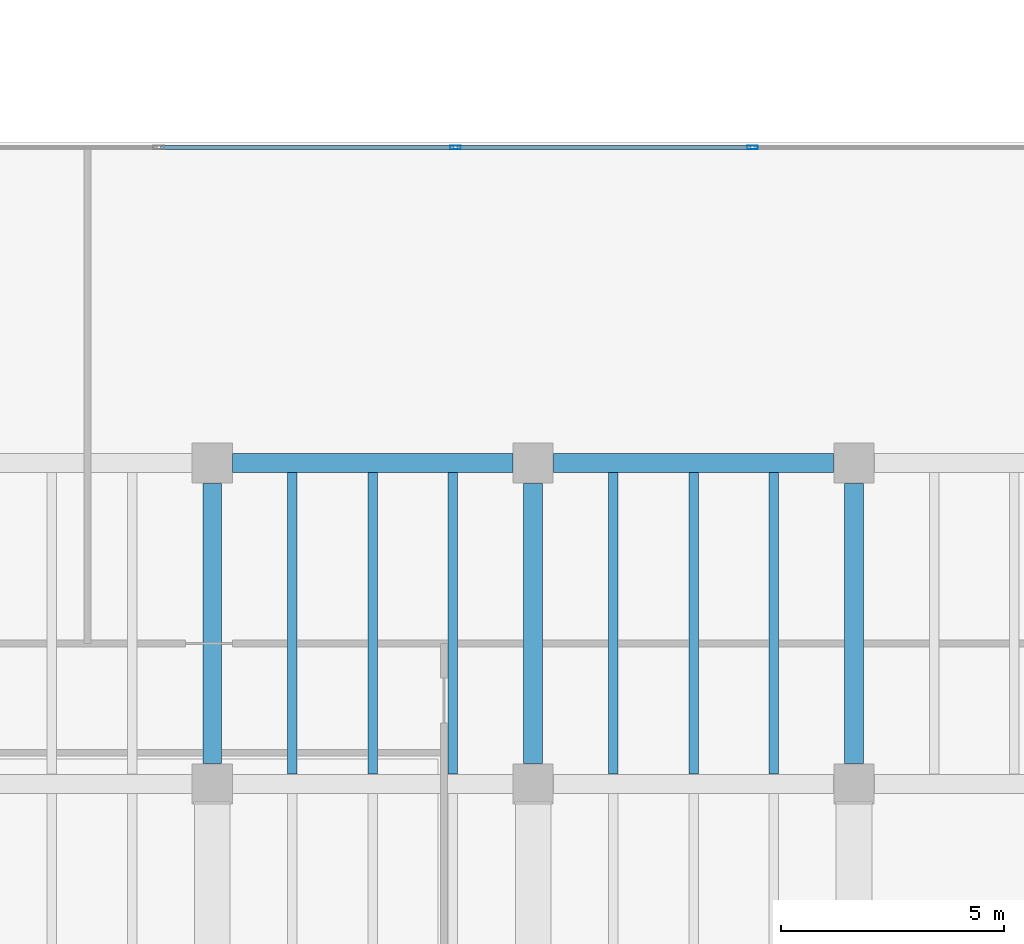
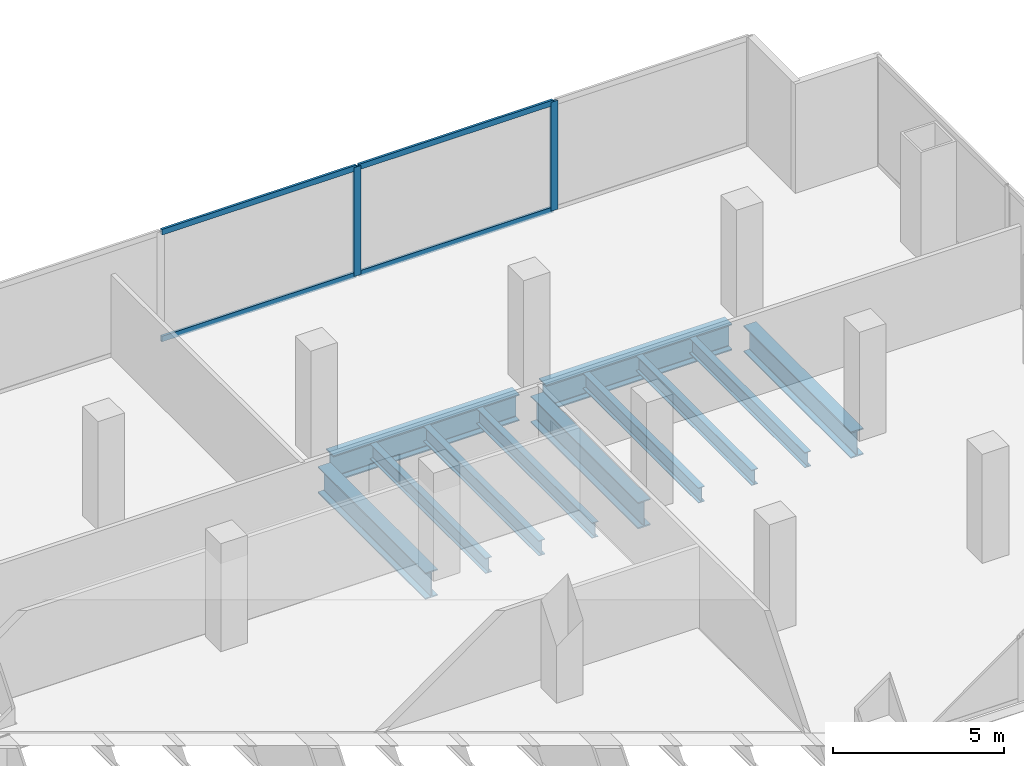
# One storey, part 21 of 34: 11 beams, 6 members, 1 element without a shape of its own.
"""IFC4 building model written with IfcOpenShell, lengths in metres."""

from ifc_helpers import new_model, si_unit, direction, frame, origin, origin_2d, place, context, subcontext, project, spatial, hollow_rectangle, i_section, extrude, material, material_profile, profile_set, type_object, element, aggregate, save


model = new_model("IFC4")

# Units and contexts
model_context = context("Model", 3, precision=1e-05, world=origin(), true_north=direction((0.0, 1.0)))
body_context = subcontext(model_context, "Body", "Model", "MODEL_VIEW")
ifc_project = project(units=[si_unit("LENGTHUNIT", "METRE"), si_unit("AREAUNIT", "SQUARE_METRE"), si_unit("VOLUMEUNIT", "CUBIC_METRE"), si_unit("PLANEANGLEUNIT", "RADIAN"), si_unit("MASSUNIT", "GRAM", prefix="KILO")], contexts=[model_context])

# Site, building, storey
site_placement = place(None, origin())
site = spatial("IfcSite", under=ifc_project, at=site_placement, CompositionType="ELEMENT")
building_placement = place(site_placement, origin())
building = spatial("IfcBuilding", under=site, at=building_placement, Name="Cobrela Telecom Tower", CompositionType="ELEMENT")
storey_placement = place(building_placement, frame((0.0, 0.0, 5.25)))
storey = spatial("IfcBuildingStorey", under=building, at=storey_placement, Name="L01", CompositionType="ELEMENT", Elevation=5.25)

# Beams
ifc_material_1 = material(Name="Steel ASTM A992 Grade 50", Category="steel")
ifc_material_profile_1 = material_profile(ifc_material_1, i_section(OverallWidth=0.424072265625, OverallDepth=0.947021484375, WebThickness=0.02392578125, FlangeThickness=0.042724609375, FilletRadius=0.02392578125, at=origin_2d()), Name="W36X302")
ifc_profile_set_1 = profile_set([ifc_material_profile_1], Name="Steel ASTM A992 Grade 50")
beam_type_1 = type_object("IfcBeamType", Name="BM-GIRD-01", PredefinedType="USERDEFINED", material=ifc_profile_set_1)
for number, where, z_axis, x_axis, name in (
    (1, (65.2548828125, 21.60009765625, -0.7734375), (1.0, 0.0, 0.0), (0.0, 1.0, 0.0), "L01 Primary Girder X29"),
    (2, (72.455078125, 21.60009765625, -0.7734375), (1.0, 0.0, 0.0), (0.0, 1.0, 0.0), "L01 Primary Girder X30"),
    (3, (64.800048828125, 14.85498046875, -0.7734375), (0.0, 1.0, 0.0), (-1.0, 0.0, 0.0), "L01 Primary Girder Y79"),
    (4, (72.0, 14.85498046875, -0.7734375), (0.0, 1.0, 0.0), (-1.0, 0.0, 0.0), "L01 Primary Girder Y80"),
    (5, (79.199951171875, 14.85498046875, -0.7734375), (0.0, 1.0, 0.0), (-1.0, 0.0, 0.0), "L01 Primary Girder Y81"),
):
    element("IfcBeam", number, at=place(storey_placement, frame(where, z_axis=z_axis, x_axis=x_axis)), inside=storey, type_object=beam_type_1, Name=name, ObjectType="GIRDER", PredefinedType="USERDEFINED", context=body_context, shape_type="SweptSolid", body=[
        extrude(i_section(OverallWidth=0.424072265625, OverallDepth=0.947021484375, WebThickness=0.02392578125, FlangeThickness=0.042724609375, FilletRadius=0.02392578125, at=origin_2d()), origin(), (0.0, 0.0, 1.0), 6.2900390625),
    ])
ifc_material_profile_2 = material_profile(ifc_material_1, i_section(OverallWidth=0.212890625, OverallDepth=0.549072265625, WebThickness=0.0146484375, FlangeThickness=0.023681640625, FilletRadius=0.013916015625, at=origin_2d()), Name="W21X93")
ifc_profile_set_2 = profile_set([ifc_material_profile_2], Name="Steel ASTM A992 Grade 50")
beam_type_2 = type_object("IfcBeamType", Name="BM-JOIST-01", PredefinedType="JOIST", material=ifc_profile_set_2)
for number, where, z_axis, x_axis, name in (
    (6, (66.60009765625, 14.616943359375, -0.574462890625), (0.0, 1.0, 0.0), (-1.0, 0.0, 0.0), "L01 Secondary Composite Floor Beam J107"),
    (7, (68.39990234375, 14.616943359375, -0.574462890625), (0.0, 1.0, 0.0), (-1.0, 0.0, 0.0), "L01 Secondary Composite Floor Beam J109"),
    (8, (70.199951171875, 14.616943359375, -0.574462890625), (0.0, 1.0, 0.0), (-1.0, 0.0, 0.0), "L01 Secondary Composite Floor Beam J111"),
    (9, (73.800048828125, 14.616943359375, -0.574462890625), (0.0, 1.0, 0.0), (-1.0, 0.0, 0.0), "L01 Secondary Composite Floor Beam J113"),
    (10, (75.60009765625, 14.616943359375, -0.574462890625), (0.0, 1.0, 0.0), (-1.0, 0.0, 0.0), "L01 Secondary Composite Floor Beam J115"),
    (11, (77.39990234375, 14.616943359375, -0.574462890625), (0.0, 1.0, 0.0), (-1.0, 0.0, 0.0), "L01 Secondary Composite Floor Beam J117"),
):
    element("IfcBeam", number, at=place(storey_placement, frame(where, z_axis=z_axis, x_axis=x_axis)), inside=storey, type_object=beam_type_2, Name=name, PredefinedType="JOIST", context=body_context, shape_type="SweptSolid", body=[
        extrude(i_section(OverallWidth=0.212890625, OverallDepth=0.549072265625, WebThickness=0.0146484375, FlangeThickness=0.023681640625, FilletRadius=0.013916015625, at=origin_2d()), origin(), (0.0, 0.0, 1.0), 6.76611328125),
    ])

# Curtain wall, members
ifc_material_2 = material(Name="Anodized Bronze Aluminium 6063-T6", Category="aluminium")
curtain_wall_type = type_object("IfcCurtainWallType", Name="CW-SYS-CONC", PredefinedType="USERDEFINED", material=ifc_material_2)
curtain_wall_placement = place(storey_placement, origin())
curtain_wall = element("IfcCurtainWall", 12, at=curtain_wall_placement, inside=storey, type_object=curtain_wall_type, Name="L01 Unitised Bronze Curtain Wall 11", ObjectType="UNITISED CURTAIN WALL", PredefinedType="USERDEFINED")
ifc_material_profile_3 = material_profile(ifc_material_2, hollow_rectangle(XDim=0.080078125, YDim=0.239990234375, WallThickness=0.0048828125, at=origin_2d()), Name="ALU 80x240x5")
ifc_profile_set_3 = profile_set([ifc_material_profile_3], Name="Anodized Bronze Aluminium 6063-T6")
member_type_1 = type_object("IfcMemberType", Name="CW-SYS-CONC-MUL", PredefinedType="MULLION", material=ifc_profile_set_3)
member_1_placement = place(storey_placement, frame((70.260009765625, 28.679931640625, 0.0), z_axis=(0.0, 0.0, 1.0), x_axis=(0.0, 1.0, 0.0)))
member_1 = element("IfcMember", 13, at=member_1_placement, type_object=member_type_1, Name="CW-CONC mullion 4", PredefinedType="MULLION", context=body_context, shape_type="SweptSolid", body=[
    extrude(hollow_rectangle(XDim=0.080078125, YDim=0.239990234375, WallThickness=0.0048828125, at=origin_2d()), origin(), (0.0, 0.0, 1.0), 3.89990234375),
])
member_2_placement = place(storey_placement, frame((76.919921875, 28.679931640625, 0.0), z_axis=(0.0, 0.0, 1.0), x_axis=(0.0, 1.0, 0.0)))
member_2 = element("IfcMember", 14, at=member_2_placement, type_object=member_type_1, Name="CW-CONC mullion 5", PredefinedType="MULLION", context=body_context, shape_type="SweptSolid", body=[
    extrude(hollow_rectangle(XDim=0.080078125, YDim=0.239990234375, WallThickness=0.0048828125, at=origin_2d()), origin(), (0.0, 0.0, 1.0), 3.89990234375),
])
ifc_material_profile_4 = material_profile(ifc_material_2, hollow_rectangle(XDim=0.080078125, YDim=0.199951171875, WallThickness=0.00390625, at=origin_2d()), Name="ALU 80x200x4")
ifc_profile_set_4 = profile_set([ifc_material_profile_4], Name="Anodized Bronze Aluminium 6063-T6")
member_type_2 = type_object("IfcMemberType", Name="CW-SYS-CONC-TRN", PredefinedType="USERDEFINED", material=ifc_profile_set_4)
member_3_placement = place(storey_placement, frame((63.639892578125, 28.679931640625, 0.0400390625), z_axis=(1.0, 0.0, 0.0), x_axis=(0.0, 1.0, 0.0)))
member_3 = element("IfcMember", 15, at=member_3_placement, type_object=member_type_2, Name="CW-CONC transom 3.1", ObjectType="TRANSOM", PredefinedType="USERDEFINED", context=body_context, shape_type="SweptSolid", body=[
    extrude(hollow_rectangle(XDim=0.080078125, YDim=0.199951171875, WallThickness=0.00390625, at=origin_2d()), origin(), (0.0, 0.0, 1.0), 6.580078125),
])
member_4_placement = place(storey_placement, frame((63.639892578125, 28.679931640625, 3.860107421875), z_axis=(1.0, 0.0, 0.0), x_axis=(0.0, 1.0, 0.0)))
member_4 = element("IfcMember", 16, at=member_4_placement, type_object=member_type_2, Name="CW-CONC transom 3.2", ObjectType="TRANSOM", PredefinedType="USERDEFINED", context=body_context, shape_type="SweptSolid", body=[
    extrude(hollow_rectangle(XDim=0.080078125, YDim=0.199951171875, WallThickness=0.00390625, at=origin_2d()), origin(), (0.0, 0.0, 1.0), 6.580078125),
])
member_5_placement = place(storey_placement, frame((70.300048828125, 28.679931640625, 0.0400390625), z_axis=(1.0, 0.0, 0.0), x_axis=(0.0, 1.0, 0.0)))
member_5 = element("IfcMember", 17, at=member_5_placement, type_object=member_type_2, Name="CW-CONC transom 4.1", ObjectType="TRANSOM", PredefinedType="USERDEFINED", context=body_context, shape_type="SweptSolid", body=[
    extrude(hollow_rectangle(XDim=0.080078125, YDim=0.199951171875, WallThickness=0.00390625, at=origin_2d()), origin(), (0.0, 0.0, 1.0), 6.579833984375),
])
member_6_placement = place(storey_placement, frame((70.300048828125, 28.679931640625, 3.860107421875), z_axis=(1.0, 0.0, 0.0), x_axis=(0.0, 1.0, 0.0)))
member_6 = element("IfcMember", 18, at=member_6_placement, type_object=member_type_2, Name="CW-CONC transom 4.2", ObjectType="TRANSOM", PredefinedType="USERDEFINED", context=body_context, shape_type="SweptSolid", body=[
    extrude(hollow_rectangle(XDim=0.080078125, YDim=0.199951171875, WallThickness=0.00390625, at=origin_2d()), origin(), (0.0, 0.0, 1.0), 6.579833984375),
])
aggregate(curtain_wall, [member_1, member_2, member_3, member_4, member_5, member_6])

save(model, "model.ifc")
